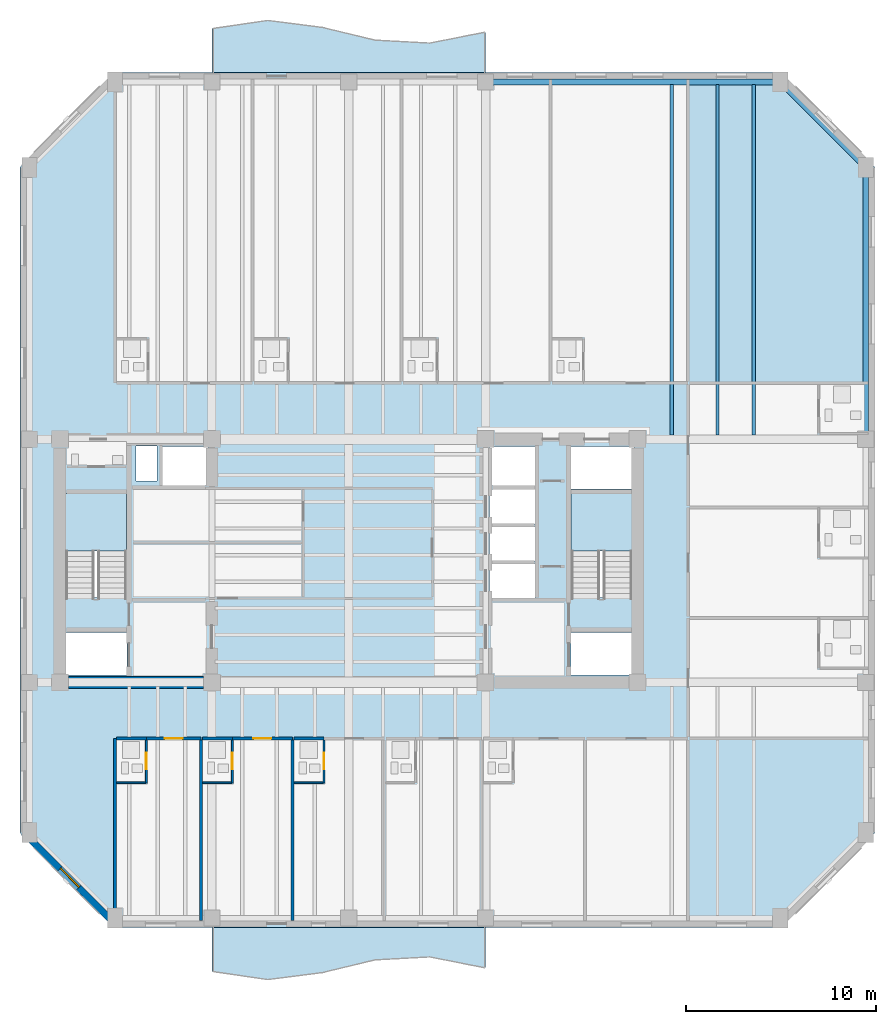
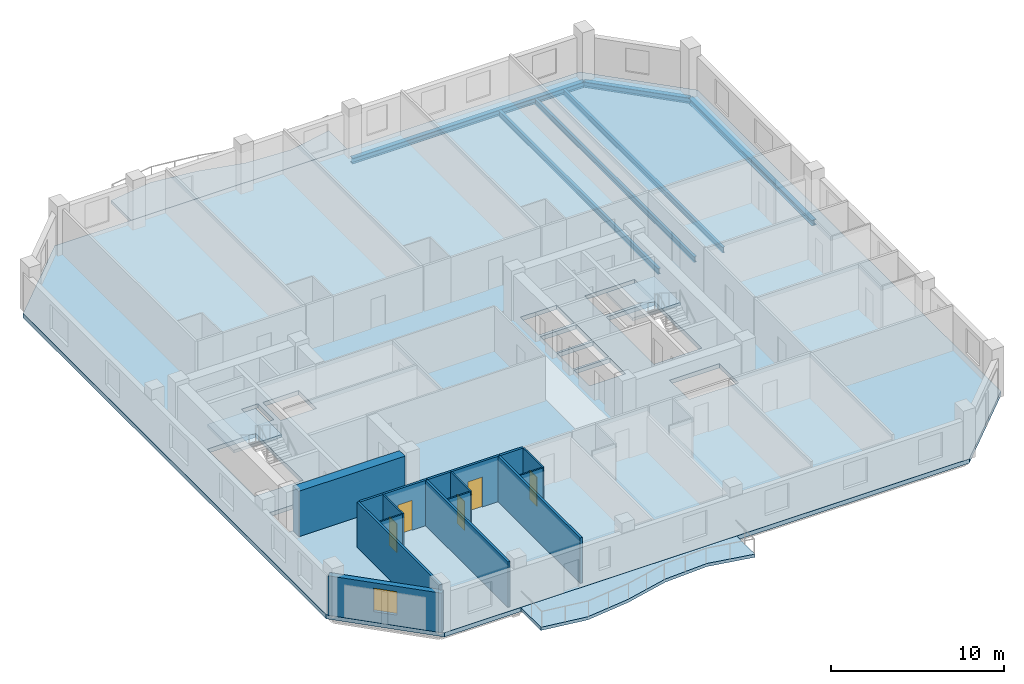
# One storey, part 2 of 11: 16 walls, 6 beams, 5 doors, 5 slabs, 1 window, 6 openings, 2 elements without a shape of their own.
"""IFC4 building model written with IfcOpenShell, lengths in metres."""

from ifc_helpers import new_model, si_unit, direction, frame, frame_2d, origin, origin_2d, place, context, subcontext, project, spatial, polyline, rectangle, i_section, outline, extrude, material, layer, layer_set, material_profile, profile_set, type_object, element, fill, aggregate, save


model = new_model("IFC4")

# Units and contexts
model_context = context("Model", 3, precision=1e-05, world=origin(), true_north=direction((0.0, 1.0)))
body_context = subcontext(model_context, "Body", "Model", "MODEL_VIEW")
ifc_project = project(units=[si_unit("LENGTHUNIT", "METRE"), si_unit("AREAUNIT", "SQUARE_METRE"), si_unit("VOLUMEUNIT", "CUBIC_METRE"), si_unit("PLANEANGLEUNIT", "RADIAN"), si_unit("MASSUNIT", "GRAM", prefix="KILO")], contexts=[model_context])

# Site, building, storey
site_placement = place(None, origin())
site = spatial("IfcSite", under=ifc_project, at=site_placement, CompositionType="ELEMENT")
building_placement = place(site_placement, origin())
building = spatial("IfcBuilding", under=site, at=building_placement, Name="Kranthara Brick Stack", CompositionType="ELEMENT")
storey_placement = place(building_placement, frame((0.0, 0.0, 176.300048828125)))
storey = spatial("IfcBuildingStorey", under=building, at=storey_placement, Name="L45", CompositionType="ELEMENT", Elevation=176.300048828125)

# Beams
ifc_material_1 = material(Name="Steel S355", Category="steel")
ifc_material_profile_1 = material_profile(ifc_material_1, i_section(OverallWidth=0.179931640625, OverallDepth=0.39990234375, WebThickness=0.008544921875, FlangeThickness=0.013427734375, at=origin_2d()), Name="IPE 400")
ifc_profile_set_1 = profile_set([ifc_material_profile_1], Name="Steel S355")
beam_type_1 = type_object("IfcBeamType", Name="BM-JST-IPE400", PredefinedType="JOIST", material=ifc_profile_set_1)
for number, where, z_axis, x_axis, name in (
    (1, (45.0, 33.824951171875, -0.5), (0.0, 1.0, 0.0), (-1.0, 0.0, 0.0), "L45 North Wing Floor Joist 071"),
    (2, (47.39990234375, 33.824951171875, -0.5), (0.0, 1.0, 0.0), (-1.0, 0.0, 0.0), "L45 North Wing Floor Joist 073"),
    (3, (49.300048828125, 33.824951171875, -0.5), (0.0, 1.0, 0.0), (-1.0, 0.0, 0.0), "L45 North Wing Floor Joist 075"),
):
    element("IfcBeam", number, at=place(storey_placement, frame(where, z_axis=z_axis, x_axis=x_axis)), inside=storey, type_object=beam_type_1, Name=name, PredefinedType="JOIST", context=body_context, shape_type="SweptSolid", body=[
        extrude(i_section(OverallWidth=0.179931640625, OverallDepth=0.39990234375, WebThickness=0.008544921875, FlangeThickness=0.013427734375, at=origin_2d()), origin(), (0.0, 0.0, 1.0), 18.425048828125),
    ])
ifc_material_2 = material(Name="Steel S355", Category="steel")
ifc_material_profile_2 = material_profile(ifc_material_2, i_section(OverallWidth=0.300048828125, OverallDepth=0.39990234375, WebThickness=0.013427734375, FlangeThickness=0.02392578125, at=origin_2d()), Name="HEB 400")
ifc_profile_set_2 = profile_set([ifc_material_profile_2], Name="Steel S355")
beam_type_2 = type_object("IfcBeamType", Name="BM-STL-HEB400", PredefinedType="SPANDREL", material=ifc_profile_set_2)
beam_1_placement = place(storey_placement, frame((35.199951171875, 52.39990234375, -0.5), z_axis=(1.0, 0.0, 0.0), x_axis=(0.0, 1.0, 0.0)))
element("IfcBeam", 4, at=beam_1_placement, inside=storey, type_object=beam_type_2, Name="L45 Perimeter Spandrel Beam 012", PredefinedType="SPANDREL", context=body_context, shape_type="SweptSolid", body=[
    extrude(i_section(OverallWidth=0.300048828125, OverallDepth=0.39990234375, WebThickness=0.013427734375, FlangeThickness=0.02392578125, at=origin_2d()), origin(), (0.0, 0.0, 1.0), 15.5),
])
beam_2_placement = place(storey_placement, frame((55.199951171875, 33.60009765625, -0.5), z_axis=(0.0, 1.0, 0.0), x_axis=(-1.0, 0.0, 0.0)))
element("IfcBeam", 5, at=beam_2_placement, inside=storey, type_object=beam_type_2, Name="L45 Perimeter Spandrel Beam 018", PredefinedType="SPANDREL", context=body_context, shape_type="SweptSolid", body=[
    extrude(i_section(OverallWidth=0.300048828125, OverallDepth=0.39990234375, WebThickness=0.013427734375, FlangeThickness=0.02392578125, at=origin_2d()), origin(), (0.0, 0.0, 1.0), 14.2998046875),
])
beam_3_placement = place(storey_placement, frame((50.699951171875, 52.39990234375, -0.5), z_axis=(0.707106781187, -0.707106781187, 0.0), x_axis=(0.707106781187, 0.707106781187, 0.0)))
element("IfcBeam", 6, at=beam_3_placement, inside=storey, type_object=beam_type_2, Name="L45 Chamfer Corner Spandrel 022", PredefinedType="SPANDREL", context=body_context, shape_type="SweptSolid", body=[
    extrude(i_section(OverallWidth=0.300048828125, OverallDepth=0.39990234375, WebThickness=0.013427734375, FlangeThickness=0.02392578125, at=origin_2d()), origin(), (0.0, 0.0, 1.0), 6.364013671875),
])

# Slabs
ifc_material_3 = material(Name="Concrete C45/55", Category="concrete")
ifc_layer_1 = layer(ifc_material_3, 0.219970703125)
ifc_layer_set_1 = layer_set([ifc_layer_1], Name="Concrete C45/55")
slab_type_1 = type_object("IfcSlabType", Name="SLB-BALC-220", PredefinedType="FLOOR", material=ifc_layer_set_1)
slab_1_placement = place(storey_placement, frame((0.0, 0.0, -0.219970703125)))
element("IfcSlab", 7, at=slab_1_placement, inside=storey, type_object=slab_type_1, Name="L45 South Rippling Balcony Slab", PredefinedType="FLOOR", context=body_context, shape_type="SweptSolid", body=[
    extrude(outline(polyline([(20.800048828125, 7.89990234375), (35.199951171875, 7.89990234375), (35.199951171875, 5.785400390625), (32.320068359375, 6.359130859375), (29.43994140625, 6.1982421875), (26.56005859375, 5.505126953125), (23.679931640625, 5.1513671875), (20.800048828125, 5.581787109375), (20.800048828125, 7.89990234375)])), origin(), (0.0, 0.0, 1.0), 0.219970703125),
])
slab_2_placement = place(storey_placement, frame((0.0, 0.0, -0.219970703125)))
element("IfcSlab", 8, at=slab_2_placement, inside=storey, type_object=slab_type_1, Name="L45 North Rippling Balcony Slab", PredefinedType="FLOOR", context=body_context, shape_type="SweptSolid", body=[
    extrude(outline(polyline([(35.199951171875, 52.89990234375), (20.800048828125, 52.89990234375), (20.800048828125, 55.218017578125), (23.679931640625, 55.648681640625), (26.56005859375, 55.294921875), (29.43994140625, 54.601806640625), (32.320068359375, 54.44091796875), (35.199951171875, 55.0146484375), (35.199951171875, 52.89990234375)])), origin(), (0.0, 0.0, 1.0), 0.219970703125),
])

# Stair, slab
ifc_material_4 = material(Name="Concrete C45/55", Category="concrete")
stair_type = type_object("IfcStairType", Name="ST-CORE-20R", PredefinedType="HALF_TURN_STAIR", material=ifc_material_4)
stair_1_placement = place(storey_placement, origin())
stair_1 = element("IfcStair", 9, at=stair_1_placement, inside=storey, type_object=stair_type, Name="L45 West Core Protected Exit Stair ST01", PredefinedType="HALF_TURN_STAIR")
ifc_material_5 = material(Name="Concrete C45/55", Category="concrete")
ifc_layer_2 = layer(ifc_material_5, 0.199951171875)
ifc_layer_set_2 = layer_set([ifc_layer_2], Name="Concrete C45/55")
slab_type_2 = type_object("IfcSlabType", Name="SLB-LANDING-200", PredefinedType="LANDING", material=ifc_layer_set_2)
slab_3_placement = place(storey_placement, frame((0.0, 0.0, 1.550048828125)))
slab_3 = element("IfcSlab", 10, at=slab_3_placement, type_object=slab_type_2, Name="ST01 landing 1", PredefinedType="LANDING", context=body_context, shape_type="SweptSolid", body=[
    extrude(outline(polyline([(16.300048828125, 27.719970703125), (16.300048828125, 30.75), (13.10009765625, 30.75), (13.10009765625, 27.719970703125), (16.300048828125, 27.719970703125)])), origin(), (0.0, 0.0, 1.0), 0.199951171875),
])
aggregate(stair_1, [slab_3])

stair_2_placement = place(storey_placement, origin())
stair_2 = element("IfcStair", 11, at=stair_2_placement, inside=storey, type_object=stair_type, Name="L45 East Core Protected Exit Stair ST02", PredefinedType="HALF_TURN_STAIR")
slab_4_placement = place(storey_placement, frame((0.0, 0.0, 1.550048828125)))
slab_4 = element("IfcSlab", 12, at=slab_4_placement, type_object=slab_type_2, Name="ST02 landing 1", PredefinedType="LANDING", context=body_context, shape_type="SweptSolid", body=[
    extrude(outline(polyline([(42.89990234375, 27.719970703125), (42.89990234375, 30.75), (39.699951171875, 30.75), (39.699951171875, 27.719970703125), (42.89990234375, 27.719970703125)])), origin(), (0.0, 0.0, 1.0), 0.199951171875),
])
aggregate(stair_2, [slab_4])

# Slab
ifc_material_6 = material(Name="Post-tensioned concrete C45/55", Category="concrete")
ifc_layer_3 = layer(ifc_material_6, 0.300048828125)
ifc_layer_set_3 = layer_set([ifc_layer_3], Name="Post-tensioned concrete C45/55")
slab_type_3 = type_object("IfcSlabType", Name="SLB-TWR-300", PredefinedType="FLOOR", material=ifc_layer_set_3)
slab_5_placement = place(storey_placement, frame((0.0, 0.0, -0.300048828125)))
element("IfcSlab", 13, at=slab_5_placement, inside=storey, type_object=slab_type_3, Name="L45 Structural Floor Plate", PredefinedType="FLOOR", context=body_context, shape_type="SweptSolid", body=[
    extrude(outline(polyline([(15.699951171875, 7.89990234375), (50.699951171875, 7.89990234375), (55.699951171875, 12.89990234375), (55.699951171875, 47.89990234375), (50.699951171875, 52.89990234375), (15.699951171875, 52.89990234375), (10.699951171875, 47.89990234375), (10.699951171875, 12.89990234375), (15.699951171875, 7.89990234375)]), holes=[polyline([(13.10009765625, 25.280029296875), (16.300048828125, 25.280029296875), (16.300048828125, 30.75), (13.10009765625, 30.75), (13.10009765625, 25.280029296875)]), polyline([(39.699951171875, 25.280029296875), (42.89990234375, 25.280029296875), (42.89990234375, 30.75), (39.699951171875, 30.75), (39.699951171875, 25.280029296875)]), polyline([(13.0, 21.179931640625), (16.320068359375, 21.179931640625), (16.320068359375, 23.419921875), (13.0, 23.419921875), (13.0, 21.179931640625)]), polyline([(39.679931640625, 21.179931640625), (43.0, 21.179931640625), (43.0, 23.419921875), (39.679931640625, 23.419921875), (39.679931640625, 21.179931640625)]), polyline([(39.679931640625, 30.97998046875), (43.0, 30.97998046875), (43.0, 33.219970703125), (39.679931640625, 33.219970703125), (39.679931640625, 30.97998046875)]), polyline([(35.39990234375, 25.25), (37.800048828125, 25.25), (37.800048828125, 27.050048828125), (35.39990234375, 27.050048828125), (35.39990234375, 25.25)]), polyline([(35.39990234375, 27.199951171875), (37.800048828125, 27.199951171875), (37.800048828125, 29.0), (35.39990234375, 29.0), (35.39990234375, 27.199951171875)]), polyline([(35.39990234375, 29.14990234375), (37.800048828125, 29.14990234375), (37.800048828125, 30.949951171875), (35.39990234375, 30.949951171875), (35.39990234375, 29.14990234375)]), polyline([(18.199951171875, 31.14990234375), (20.60009765625, 31.14990234375), (20.60009765625, 33.219970703125), (18.199951171875, 33.219970703125), (18.199951171875, 31.14990234375)]), polyline([(35.39990234375, 31.14990234375), (37.800048828125, 31.14990234375), (37.800048828125, 33.219970703125), (35.39990234375, 33.219970703125), (35.39990234375, 31.14990234375)]), polyline([(16.800048828125, 31.39990234375), (17.89990234375, 31.39990234375), (17.89990234375, 33.25), (16.800048828125, 33.25), (16.800048828125, 31.39990234375)])]), origin(), (0.0, 0.0, 1.0), 0.300048828125),
])

# Wall, opening, window
ifc_material_7 = material(Name="Kiln-fired clay brick masonry M15", Category="masonry")
ifc_layer_4 = layer(ifc_material_7, 0.35009765625)
ifc_layer_set_4 = layer_set([ifc_layer_4], Name="Kiln-fired clay brick masonry M15")
wall_type_1 = type_object("IfcWallType", Name="WL-BRK-SPND-350", PredefinedType="STANDARD", material=ifc_layer_set_4)
wall_1_placement = place(storey_placement, frame((15.699951171875, 8.094970703125, 0.0), z_axis=(0.0, 0.0, 1.0), x_axis=(-0.707106781187, 0.707106781187, 0.0)))
wall_1 = element("IfcWall", 14, at=wall_1_placement, inside=storey, type_object=wall_type_1, Name="L45 Exterior Brick Facade Wall SW 1", PredefinedType="STANDARD", context=body_context, shape_type="SweptSolid", body=[
    extrude(rectangle(XDim=6.795166015625, YDim=0.35009765625, at=frame_2d((3.3974609375, 0.0))), origin(), (0.0, 0.0, 1.0), 2.784912109375),
])
opening_1_placement = place(wall_1_placement, frame((2.697998046875, 0.0, 0.75)))
opening_1 = element("IfcOpeningElement", 15, at=opening_1_placement, cuts=wall_1, Name="Opening WN10", PredefinedType="OPENING", context=body_context, shape_type="SweptSolid", body=[
    extrude(rectangle(XDim=1.39990234375, YDim=1.64990234375, at=frame_2d((0.699951171875, 0.824951171875))), frame((0.0, 0.18505859375, 0.0), z_axis=(0.0, -1.0, 0.0), x_axis=(1.0, 0.0, 0.0)), (0.0, 0.0, 1.0), 0.3701171875),
])
ifc_material_8 = material(Name="Double-glazed low-E solar control glass", Category="glass")
window_type = type_object("IfcWindowType", Name="WN-CHM-1400x1750", PartitioningType="SINGLE_PANEL", PredefinedType="WINDOW", material=ifc_material_8)
window_placement = place(opening_1_placement, origin())
window = element("IfcWindow", 16, at=window_placement, inside=storey, type_object=window_type, Name="L45 SW Chamfer Corner Window", OverallHeight=1.64990234375, OverallWidth=1.39990234375, PartitioningType="SINGLE_PANEL", PredefinedType="WINDOW", context=body_context, shape_type="SweptSolid", body=[
    extrude(rectangle(XDim=1.39990234375, YDim=1.64990234375, at=frame_2d((0.699951171875, 0.824951171875))), frame((0.0, -0.010009765625, 0.0), z_axis=(0.0, -1.0, 0.0), x_axis=(1.0, 0.0, 0.0)), (0.0, 0.0, 1.0), 0.06005859375),
])
fill(opening_1, window)

# Wall
ifc_material_9 = material(Name="Concrete C60/75", Category="concrete")
ifc_layer_5 = layer(ifc_material_9, 0.64990234375)
ifc_layer_set_5 = layer_set([ifc_layer_5], Name="Concrete C60/75")
wall_type_2 = type_object("IfcWallType", Name="WL-CORE-650", PredefinedType="SHEAR", material=ifc_layer_set_5)
wall_2_placement = place(storey_placement, frame((13.2548828125, 20.800048828125, 0.0), z_axis=(0.0, 0.0, 1.0), x_axis=(1.0, 0.0, 0.0)))
element("IfcWall", 17, at=wall_2_placement, inside=storey, type_object=wall_type_2, Name="L45 West Core Shear Wall South", PredefinedType="SHEAR", context=body_context, shape_type="SweptSolid", body=[
    extrude(rectangle(XDim=7.090087890625, YDim=0.64990234375, at=frame_2d((3.544921875, 0.0))), origin(), (0.0, 0.0, 1.0), 3.199951171875),
])

# Wall, opening, door
ifc_material_10 = material(Name="Moisture-resistant wet-room partition", Category="other")
ifc_layer_6 = layer(ifc_material_10, 0.10009765625)
ifc_layer_set_6 = layer_set([ifc_layer_6], Name="Moisture-resistant wet-room partition")
wall_type_3 = type_object("IfcWallType", Name="WL-PART-100", PredefinedType="PARTITIONING", material=ifc_layer_set_6)
wall_3_placement = place(storey_placement, frame((17.35009765625, 15.52001953125, 0.0), z_axis=(0.0, 0.0, 1.0), x_axis=(0.0, 1.0, 0.0)))
wall_3 = element("IfcWall", 18, at=wall_3_placement, inside=storey, type_object=wall_type_3, Name="L45 Interior Partition 012", PredefinedType="PARTITIONING", context=body_context, shape_type="SweptSolid", body=[
    extrude(rectangle(XDim=2.25, YDim=0.10009765625, at=frame_2d((1.125, 0.0))), origin(), (0.0, 0.0, 1.0), 3.199951171875),
])
opening_2_placement = place(wall_3_placement, frame((0.719970703125, 0.0, 0.0)))
opening_2 = element("IfcOpeningElement", 19, at=opening_2_placement, cuts=wall_3, Name="Opening D17", PredefinedType="OPENING", context=body_context, shape_type="SweptSolid", body=[
    extrude(rectangle(XDim=0.85009765625, YDim=2.050048828125, at=frame_2d((0.425048828125, 1.02490234375))), frame((0.0, 0.06005859375, 0.0), z_axis=(0.0, -1.0, 0.0), x_axis=(1.0, 0.0, 0.0)), (0.0, 0.0, 1.0), 0.1201171875),
])
ifc_material_11 = material(Name="Solid-core hardwood timber leaf in steel frame", Category="steel")
door_type_1 = type_object("IfcDoorType", Name="DR-WET-850", OperationType="NOTDEFINED", PredefinedType="DOOR", material=ifc_material_11)
door_1_placement = place(opening_2_placement, origin())
door_1 = element("IfcDoor", 20, at=door_1_placement, inside=storey, type_object=door_type_1, Name="L45 Key 01 En-Suite Door 07", OperationType="SINGLE_SWING_LEFT", OverallHeight=2.050048828125, OverallWidth=0.85009765625, PredefinedType="DOOR", context=body_context, shape_type="SweptSolid", body=[
    extrude(rectangle(XDim=0.85009765625, YDim=2.050048828125, at=frame_2d((0.425048828125, 1.02490234375))), frame((0.0, 0.02490234375, 0.0), z_axis=(0.0, -1.0, 0.0), x_axis=(1.0, 0.0, 0.0)), (0.0, 0.0, 1.0), 0.050048828125),
])
fill(opening_2, door_1)

# Wall
wall_4_placement = place(storey_placement, frame((15.780029296875, 15.52001953125, 0.0), z_axis=(0.0, 0.0, 1.0), x_axis=(1.0, 0.0, 0.0)))
element("IfcWall", 21, at=wall_4_placement, inside=storey, type_object=wall_type_3, Name="L45 Interior Partition 013", PredefinedType="PARTITIONING", context=body_context, shape_type="SweptSolid", body=[
    extrude(rectangle(XDim=1.514892578125, YDim=0.10009765625, at=frame_2d((0.75732421875, 0.0))), origin(), (0.0, 0.0, 1.0), 3.199951171875),
])

# Wall, opening, door
wall_5_placement = place(storey_placement, frame((21.873046875, 15.52001953125, 0.0), z_axis=(0.0, 0.0, 1.0), x_axis=(0.0, 1.0, 0.0)))
wall_5 = element("IfcWall", 22, at=wall_5_placement, inside=storey, type_object=wall_type_3, Name="L45 Interior Partition 017", PredefinedType="PARTITIONING", context=body_context, shape_type="SweptSolid", body=[
    extrude(rectangle(XDim=2.25, YDim=0.10009765625, at=frame_2d((1.125, 0.0))), origin(), (0.0, 0.0, 1.0), 3.199951171875),
])
opening_3_placement = place(wall_5_placement, frame((0.719970703125, 0.0, 0.0)))
opening_3 = element("IfcOpeningElement", 23, at=opening_3_placement, cuts=wall_5, Name="Opening D17", PredefinedType="OPENING", context=body_context, shape_type="SweptSolid", body=[
    extrude(rectangle(XDim=0.85009765625, YDim=2.050048828125, at=frame_2d((0.425048828125, 1.02490234375))), frame((0.0, 0.06005859375, 0.0), z_axis=(0.0, -1.0, 0.0), x_axis=(1.0, 0.0, 0.0)), (0.0, 0.0, 1.0), 0.1201171875),
])
door_2_placement = place(opening_3_placement, origin())
door_2 = element("IfcDoor", 24, at=door_2_placement, inside=storey, type_object=door_type_1, Name="L45 Key 02 En-Suite Door 09", OperationType="SINGLE_SWING_LEFT", OverallHeight=2.050048828125, OverallWidth=0.85009765625, PredefinedType="DOOR", context=body_context, shape_type="SweptSolid", body=[
    extrude(rectangle(XDim=0.85009765625, YDim=2.050048828125, at=frame_2d((0.425048828125, 1.02490234375))), frame((0.0, 0.02490234375, 0.0), z_axis=(0.0, -1.0, 0.0), x_axis=(1.0, 0.0, 0.0)), (0.0, 0.0, 1.0), 0.050048828125),
])
fill(opening_3, door_2)

# Wall
wall_6_placement = place(storey_placement, frame((20.302978515625, 15.52001953125, 0.0), z_axis=(0.0, 0.0, 1.0), x_axis=(1.0, 0.0, 0.0)))
element("IfcWall", 25, at=wall_6_placement, inside=storey, type_object=wall_type_3, Name="L45 Interior Partition 018", PredefinedType="PARTITIONING", context=body_context, shape_type="SweptSolid", body=[
    extrude(rectangle(XDim=1.51513671875, YDim=0.10009765625, at=frame_2d((0.757568359375, 0.0))), origin(), (0.0, 0.0, 1.0), 3.199951171875),
])

# Wall, opening, door
wall_7_placement = place(storey_placement, frame((26.697021484375, 15.52001953125, 0.0), z_axis=(0.0, 0.0, 1.0), x_axis=(0.0, 1.0, 0.0)))
wall_7 = element("IfcWall", 26, at=wall_7_placement, inside=storey, type_object=wall_type_3, Name="L45 Interior Partition 022", PredefinedType="PARTITIONING", context=body_context, shape_type="SweptSolid", body=[
    extrude(rectangle(XDim=2.25, YDim=0.10009765625, at=frame_2d((1.125, 0.0))), origin(), (0.0, 0.0, 1.0), 3.199951171875),
])
opening_4_placement = place(wall_7_placement, frame((0.719970703125, 0.0, 0.0)))
opening_4 = element("IfcOpeningElement", 27, at=opening_4_placement, cuts=wall_7, Name="Opening D17", PredefinedType="OPENING", context=body_context, shape_type="SweptSolid", body=[
    extrude(rectangle(XDim=0.85009765625, YDim=2.050048828125, at=frame_2d((0.425048828125, 1.02490234375))), frame((0.0, 0.06005859375, 0.0), z_axis=(0.0, -1.0, 0.0), x_axis=(1.0, 0.0, 0.0)), (0.0, 0.0, 1.0), 0.1201171875),
])
door_3_placement = place(opening_4_placement, origin())
door_3 = element("IfcDoor", 28, at=door_3_placement, inside=storey, type_object=door_type_1, Name="L45 Key 03 En-Suite Door 11", OperationType="SINGLE_SWING_LEFT", OverallHeight=2.050048828125, OverallWidth=0.85009765625, PredefinedType="DOOR", context=body_context, shape_type="SweptSolid", body=[
    extrude(rectangle(XDim=0.85009765625, YDim=2.050048828125, at=frame_2d((0.425048828125, 1.02490234375))), frame((0.0, 0.02490234375, 0.0), z_axis=(0.0, -1.0, 0.0), x_axis=(1.0, 0.0, 0.0)), (0.0, 0.0, 1.0), 0.050048828125),
])
fill(opening_4, door_3)

# Walls
wall_8_placement = place(storey_placement, frame((25.126953125, 15.52001953125, 0.0), z_axis=(0.0, 0.0, 1.0), x_axis=(1.0, 0.0, 0.0)))
element("IfcWall", 29, at=wall_8_placement, inside=storey, type_object=wall_type_3, Name="L45 Interior Partition 023", PredefinedType="PARTITIONING", context=body_context, shape_type="SweptSolid", body=[
    extrude(rectangle(XDim=1.51513671875, YDim=0.10009765625, at=frame_2d((0.757568359375, 0.0))), origin(), (0.0, 0.0, 1.0), 3.199951171875),
])
ifc_material_12 = material(Name="Fire-rated gypsum board partition", Category="other")
ifc_layer_7 = layer(ifc_material_12, 0.14990234375)
ifc_layer_set_7 = layer_set([ifc_layer_7], Name="Fire-rated gypsum board partition")
wall_type_4 = type_object("IfcWallType", Name="WL-PART-150", PredefinedType="PARTITIONING", material=ifc_layer_set_7)
wall_9_placement = place(storey_placement, frame((15.699951171875, 8.27490234375, 0.0), z_axis=(0.0, 0.0, 1.0), x_axis=(0.0, 1.0, 0.0)))
element("IfcWall", 30, at=wall_9_placement, inside=storey, type_object=wall_type_4, Name="L45 Interior Partition 009", PredefinedType="PARTITIONING", context=body_context, shape_type="SweptSolid", body=[
    extrude(rectangle(XDim=9.5751953125, YDim=0.14990234375, at=frame_2d((4.78759765625, 0.0))), origin(), (0.0, 0.0, 1.0), 3.199951171875),
])
wall_10_placement = place(storey_placement, frame((15.780029296875, 17.85009765625, 0.0), z_axis=(0.0, 0.0, 1.0), x_axis=(1.0, 0.0, 0.0)))
element("IfcWall", 31, at=wall_10_placement, inside=storey, type_object=wall_type_4, Name="L45 Interior Partition 010", PredefinedType="PARTITIONING", context=body_context, shape_type="SweptSolid", body=[
    extrude(rectangle(XDim=1.570068359375, YDim=0.14990234375, at=frame_2d((0.78515625, 0.0))), origin(), (0.0, 0.0, 1.0), 3.199951171875),
])

# Wall, opening, door
wall_11_placement = place(storey_placement, frame((17.35009765625, 17.85009765625, 0.0), z_axis=(0.0, 0.0, 1.0), x_axis=(1.0, 0.0, 0.0)))
wall_11 = element("IfcWall", 32, at=wall_11_placement, inside=storey, type_object=wall_type_4, Name="L45 Interior Partition 011", PredefinedType="PARTITIONING", context=body_context, shape_type="SweptSolid", body=[
    extrude(rectangle(XDim=2.872802734375, YDim=0.14990234375, at=frame_2d((1.4365234375, 0.0))), origin(), (0.0, 0.0, 1.0), 3.199951171875),
])
opening_5_placement = place(wall_11_placement, frame((0.95703125, 0.0, 0.0)))
opening_5 = element("IfcOpeningElement", 33, at=opening_5_placement, cuts=wall_11, Name="Opening D09", PredefinedType="OPENING", context=body_context, shape_type="SweptSolid", body=[
    extrude(rectangle(XDim=0.949951171875, YDim=2.10009765625, at=frame_2d((0.47509765625, 1.050048828125))), frame((0.0, 0.0849609375, 0.0), z_axis=(0.0, -1.0, 0.0), x_axis=(1.0, 0.0, 0.0)), (0.0, 0.0, 1.0), 0.169921875),
])
ifc_material_13 = material(Name="Solid-core hardwood timber leaf in steel frame", Category="steel")
door_type_2 = type_object("IfcDoorType", Name="DR-FD-950", OperationType="NOTDEFINED", PredefinedType="DOOR", material=ifc_material_13)
door_4_placement = place(opening_5_placement, origin())
door_4 = element("IfcDoor", 34, at=door_4_placement, inside=storey, type_object=door_type_2, Name="L45 Key 01 Entry 08", OperationType="SINGLE_SWING_RIGHT", OverallHeight=2.10009765625, OverallWidth=0.949951171875, PredefinedType="DOOR", context=body_context, shape_type="SweptSolid", body=[
    extrude(rectangle(XDim=0.949951171875, YDim=2.10009765625, at=frame_2d((0.47509765625, 1.050048828125))), frame((0.0, 0.02490234375, 0.0), z_axis=(0.0, -1.0, 0.0), x_axis=(1.0, 0.0, 0.0)), (0.0, 0.0, 1.0), 0.050048828125),
])
fill(opening_5, door_4)

# Walls
wall_12_placement = place(storey_placement, frame((20.222900390625, 8.27490234375, 0.0), z_axis=(0.0, 0.0, 1.0), x_axis=(0.0, 1.0, 0.0)))
element("IfcWall", 35, at=wall_12_placement, inside=storey, type_object=wall_type_4, Name="L45 Interior Partition 014", PredefinedType="PARTITIONING", context=body_context, shape_type="SweptSolid", body=[
    extrude(rectangle(XDim=9.4951171875, YDim=0.14990234375, at=frame_2d((4.74755859375, 0.0))), origin(), (0.0, 0.0, 1.0), 3.199951171875),
])
wall_13_placement = place(storey_placement, frame((20.302978515625, 17.85009765625, 0.0), z_axis=(0.0, 0.0, 1.0), x_axis=(1.0, 0.0, 0.0)))
element("IfcWall", 36, at=wall_13_placement, inside=storey, type_object=wall_type_4, Name="L45 Interior Partition 015", PredefinedType="PARTITIONING", context=body_context, shape_type="SweptSolid", body=[
    extrude(rectangle(XDim=1.570068359375, YDim=0.14990234375, at=frame_2d((0.78515625, 0.0))), origin(), (0.0, 0.0, 1.0), 3.199951171875),
])

# Wall, opening, door
wall_14_placement = place(storey_placement, frame((21.873046875, 17.85009765625, 0.0), z_axis=(0.0, 0.0, 1.0), x_axis=(1.0, 0.0, 0.0)))
wall_14 = element("IfcWall", 37, at=wall_14_placement, inside=storey, type_object=wall_type_4, Name="L45 Interior Partition 016", PredefinedType="PARTITIONING", context=body_context, shape_type="SweptSolid", body=[
    extrude(rectangle(XDim=3.174072265625, YDim=0.14990234375, at=frame_2d((1.5869140625, 0.0))), origin(), (0.0, 0.0, 1.0), 3.199951171875),
])
opening_6_placement = place(wall_14_placement, frame((1.10693359375, 0.0, 0.0)))
opening_6 = element("IfcOpeningElement", 38, at=opening_6_placement, cuts=wall_14, Name="Opening D09", PredefinedType="OPENING", context=body_context, shape_type="SweptSolid", body=[
    extrude(rectangle(XDim=0.949951171875, YDim=2.10009765625, at=frame_2d((0.47509765625, 1.050048828125))), frame((0.0, 0.0849609375, 0.0), z_axis=(0.0, -1.0, 0.0), x_axis=(1.0, 0.0, 0.0)), (0.0, 0.0, 1.0), 0.169921875),
])
door_5_placement = place(opening_6_placement, origin())
door_5 = element("IfcDoor", 39, at=door_5_placement, inside=storey, type_object=door_type_2, Name="L45 Key 02 Entry 10", OperationType="SINGLE_SWING_RIGHT", OverallHeight=2.10009765625, OverallWidth=0.949951171875, PredefinedType="DOOR", context=body_context, shape_type="SweptSolid", body=[
    extrude(rectangle(XDim=0.949951171875, YDim=2.10009765625, at=frame_2d((0.47509765625, 1.050048828125))), frame((0.0, 0.02490234375, 0.0), z_axis=(0.0, -1.0, 0.0), x_axis=(1.0, 0.0, 0.0)), (0.0, 0.0, 1.0), 0.050048828125),
])
fill(opening_6, door_5)

# Walls
wall_15_placement = place(storey_placement, frame((25.047119140625, 8.27490234375, 0.0), z_axis=(0.0, 0.0, 1.0), x_axis=(0.0, 1.0, 0.0)))
element("IfcWall", 40, at=wall_15_placement, inside=storey, type_object=wall_type_4, Name="L45 Interior Partition 019", PredefinedType="PARTITIONING", context=body_context, shape_type="SweptSolid", body=[
    extrude(rectangle(XDim=9.4951171875, YDim=0.14990234375, at=frame_2d((4.74755859375, 0.0))), origin(), (0.0, 0.0, 1.0), 3.199951171875),
])
wall_16_placement = place(storey_placement, frame((25.126953125, 17.85009765625, 0.0), z_axis=(0.0, 0.0, 1.0), x_axis=(1.0, 0.0, 0.0)))
element("IfcWall", 41, at=wall_16_placement, inside=storey, type_object=wall_type_4, Name="L45 Interior Partition 020", PredefinedType="PARTITIONING", context=body_context, shape_type="SweptSolid", body=[
    extrude(rectangle(XDim=1.570068359375, YDim=0.14990234375, at=frame_2d((0.78515625, 0.0))), origin(), (0.0, 0.0, 1.0), 3.199951171875),
])

save(model, "model.ifc")
